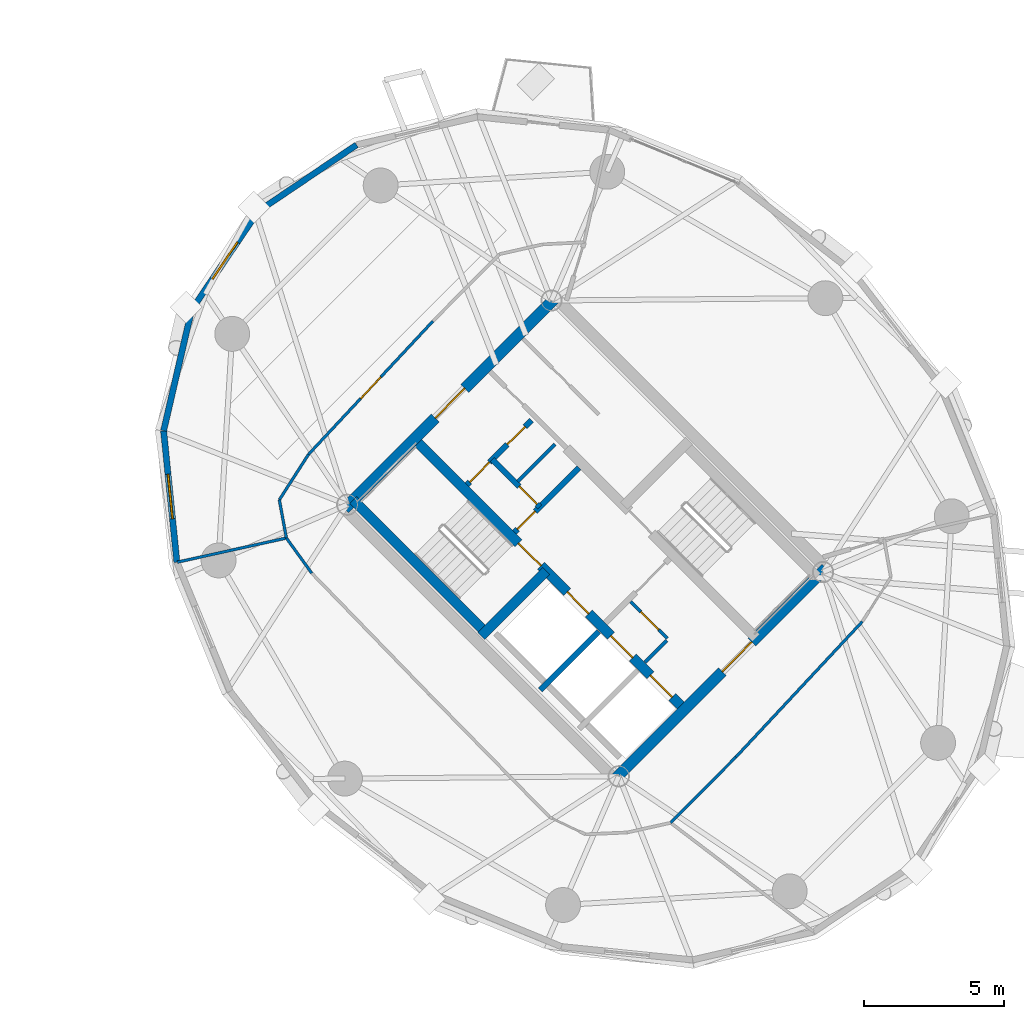
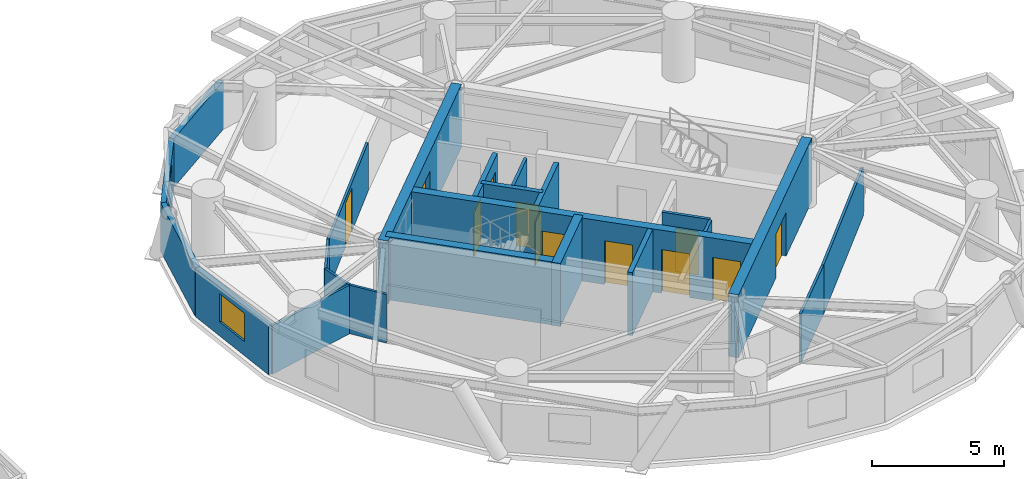
# One storey, part 12 of 17: 23 walls, 12 doors, 2 windows, 14 openings.
"""IFC4 building model written with IfcOpenShell, lengths in metres."""

from ifc_helpers import new_model, si_unit, direction, frame, frame_2d, origin, place, context, subcontext, project, spatial, rectangle, extrude, source, transform, mapped, material, layer, layer_set, type_object, element, fill, save


model = new_model("IFC4")

# Units and contexts
model_context = context("Model", 3, precision=1e-05, world=origin(), true_north=direction((0.0, 1.0)))
body_context = subcontext(model_context, "Body", "Model", "MODEL_VIEW")
ifc_project = project(units=[si_unit("LENGTHUNIT", "METRE"), si_unit("AREAUNIT", "SQUARE_METRE"), si_unit("VOLUMEUNIT", "CUBIC_METRE"), si_unit("PLANEANGLEUNIT", "RADIAN"), si_unit("MASSUNIT", "GRAM", prefix="KILO")], contexts=[model_context])

# Site, building, storey
site_placement = place(None, origin())
site = spatial("IfcSite", under=ifc_project, at=site_placement, CompositionType="ELEMENT")
building_placement = place(site_placement, origin())
building = spatial("IfcBuilding", under=site, at=building_placement, Name="Cununo Teusaquillo Station Towers", CompositionType="ELEMENT")
storey_placement = place(building_placement, frame((0.0, 0.0, 186.52001953125)))
storey = spatial("IfcBuildingStorey", under=building, at=storey_placement, Name="L59", CompositionType="ELEMENT", Elevation=186.52001953125)

# Wall
ifc_material_1 = material(Name="Concrete C50/60", Category="concrete")
ifc_layer_1 = layer(ifc_material_1, 0.199951171875)
ifc_layer_set_1 = layer_set([ifc_layer_1], Name="Concrete C50/60")
wall_type_1 = type_object("IfcWallType", Name="WL-CORE-200", PredefinedType="SHEAR", material=ifc_layer_set_1)
wall_1_placement = place(storey_placement, frame((55.8876953125, 19.0693359375, 0.0), z_axis=(0.0, 0.0, 1.0), x_axis=(0.707106781187, 0.707106781187, 0.0)))
element("IfcWall", 1, at=wall_1_placement, inside=storey, type_object=wall_type_1, Name="L59 Tower B Firefighting Lift Shaft South Shear Wall", PredefinedType="SHEAR", context=body_context, shape_type="SweptSolid", body=[
    extrude(rectangle(XDim=2.969970703125, YDim=0.199951171875, at=frame_2d((1.48486328125, 0.0))), origin(), (0.0, 0.0, 1.0), 2.909912109375),
])

# Wall, openings, doors
ifc_material_2 = material(Name="Concrete C50/60", Category="concrete")
ifc_layer_2 = layer(ifc_material_2, 0.35009765625)
ifc_layer_set_2 = layer_set([ifc_layer_2], Name="Concrete C50/60")
wall_type_2 = type_object("IfcWallType", Name="WL-CORE-350", PredefinedType="SHEAR", material=ifc_layer_set_2)
wall_2_placement = place(storey_placement, frame((61.060302734375, 18.372802734375, 0.0), z_axis=(0.0, 0.0, 1.0), x_axis=(-0.707106781187, 0.707106781187, 0.0)))
wall_2 = element("IfcWall", 2, at=wall_2_placement, inside=storey, type_object=wall_type_2, Name="L59 Tower B Core Shear Wall IW", PredefinedType="SHEAR", context=body_context, shape_type="SweptSolid", body=[
    extrude(rectangle(XDim=13.7001953125, YDim=0.35009765625, at=frame_2d((6.85009765625, 0.0))), origin(), (0.0, 0.0, 1.0), 2.909912109375),
])
shared_shape_1 = source(origin(), body_context, "Body", "SweptSolid", [
    extrude(rectangle(XDim=1.10009765625, YDim=2.014892578125, at=frame_2d((0.550048828125, 1.00732421875))), frame((0.0, 0.18505859375, 0.0), z_axis=(0.0, -1.0, 0.0), x_axis=(1.0, 0.0, 0.0)), (0.0, 0.0, 1.0), 0.3701171875),
])
opening_1_placement = place(wall_2_placement, frame((4.85009765625, 0.0, 0.0)))
opening_1 = element("IfcOpeningElement", 3, at=opening_1_placement, cuts=wall_2, Name="Opening LD-01", PredefinedType="OPENING", context=body_context, shape_type="MappedRepresentation", body=[
    mapped(shared_shape_1, transform((0.0, 0.0, 0.0), x_axis=(1.0, 0.0, 0.0), y_axis=(0.0, 1.0, 0.0), z_axis=(0.0, 0.0, 1.0), scale=1.0)),
])
opening_2_placement = place(wall_2_placement, frame((0.625, 0.0, 0.0)))
opening_2 = element("IfcOpeningElement", 4, at=opening_2_placement, cuts=wall_2, Name="Opening LD-01", PredefinedType="OPENING", context=body_context, shape_type="MappedRepresentation", body=[
    mapped(shared_shape_1, transform((0.0, 0.0, 0.0), x_axis=(1.0, 0.0, 0.0), y_axis=(0.0, 1.0, 0.0), z_axis=(0.0, 0.0, 1.0), scale=1.0)),
])
opening_3_placement = place(wall_2_placement, frame((2.625, 0.0, 0.0)))
opening_3 = element("IfcOpeningElement", 5, at=opening_3_placement, cuts=wall_2, Name="Opening LD-01", PredefinedType="OPENING", context=body_context, shape_type="MappedRepresentation", body=[
    mapped(shared_shape_1, transform((0.0, 0.0, 0.0), x_axis=(1.0, 0.0, 0.0), y_axis=(0.0, 1.0, 0.0), z_axis=(0.0, 0.0, 1.0), scale=1.0)),
])
shared_shape_2 = source(origin(), body_context, "Body", "SweptSolid", [
    extrude(rectangle(XDim=1.14990234375, YDim=2.02001953125, at=frame_2d((0.574951171875, 1.010009765625))), frame((0.0, 0.18505859375, 0.0), z_axis=(0.0, -1.0, 0.0), x_axis=(1.0, 0.0, 0.0)), (0.0, 0.0, 1.0), 0.3701171875),
])
opening_4_placement = place(wall_2_placement, frame((7.27001953125, 0.0, 0.0)))
opening_4 = element("IfcOpeningElement", 6, at=opening_4_placement, cuts=wall_2, Name="Opening D-ST1", PredefinedType="OPENING", context=body_context, shape_type="MappedRepresentation", body=[
    mapped(shared_shape_2, transform((0.0, 0.0, 0.0), x_axis=(1.0, 0.0, 0.0), y_axis=(0.0, 1.0, 0.0), z_axis=(0.0, 0.0, 1.0), scale=1.0)),
])
ifc_material_3 = material(Name="Galvanised fire-rated hollow steel door assembly", Category="steel")
door_type_1 = type_object("IfcDoorType", Name="DR-LIFT-1100", OperationType="SLIDING_TO_LEFT", PredefinedType="DOOR", material=ifc_material_3)
shared_shape_3 = source(origin(), body_context, "Body", "SweptSolid", [
    extrude(rectangle(XDim=1.10009765625, YDim=2.014892578125, at=frame_2d((0.550048828125, 1.00732421875))), frame((0.0, 0.02490234375, 0.0), z_axis=(0.0, -1.0, 0.0), x_axis=(1.0, 0.0, 0.0)), (0.0, 0.0, 1.0), 0.050048828125),
])
door_1_placement = place(opening_1_placement, origin())
door_1 = element("IfcDoor", 7, at=door_1_placement, inside=storey, type_object=door_type_1, Name="L59 Lift FL-T2 Sliding Landing Door", OperationType="SLIDING_TO_LEFT", OverallHeight=2.014892578125, OverallWidth=1.10009765625, PredefinedType="DOOR", context=body_context, shape_type="MappedRepresentation", body=[
    mapped(shared_shape_3, transform((0.0, 0.0, 0.0), x_axis=(1.0, 0.0, 0.0), y_axis=(0.0, 1.0, 0.0), z_axis=(0.0, 0.0, 1.0), scale=1.0)),
])
fill(opening_1, door_1)
door_2_placement = place(opening_2_placement, origin())
door_2 = element("IfcDoor", 8, at=door_2_placement, inside=storey, type_object=door_type_1, Name="L59 Lift PL-T2-H1 Sliding Landing Door", OperationType="SLIDING_TO_RIGHT", OverallHeight=2.014892578125, OverallWidth=1.10009765625, PredefinedType="DOOR", context=body_context, shape_type="MappedRepresentation", body=[
    mapped(shared_shape_3, transform((0.0, 0.0, 0.0), x_axis=(1.0, 0.0, 0.0), y_axis=(0.0, 1.0, 0.0), z_axis=(0.0, 0.0, 1.0), scale=1.0)),
])
fill(opening_2, door_2)
door_3_placement = place(opening_3_placement, origin())
door_3 = element("IfcDoor", 9, at=door_3_placement, inside=storey, type_object=door_type_1, Name="L59 Lift PL-T2-H2 Sliding Landing Door", OperationType="SLIDING_TO_LEFT", OverallHeight=2.014892578125, OverallWidth=1.10009765625, PredefinedType="DOOR", context=body_context, shape_type="MappedRepresentation", body=[
    mapped(shared_shape_3, transform((0.0, 0.0, 0.0), x_axis=(1.0, 0.0, 0.0), y_axis=(0.0, 1.0, 0.0), z_axis=(0.0, 0.0, 1.0), scale=1.0)),
])
fill(opening_3, door_3)
ifc_material_4 = material(Name="Galvanised fire-rated hollow steel door assembly", Category="steel")
door_type_2 = type_object("IfcDoorType", Name="DR-STAIR-1150", OperationType="NOTDEFINED", PredefinedType="DOOR", material=ifc_material_4)
shared_shape_4 = source(origin(), body_context, "Body", "SweptSolid", [
    extrude(rectangle(XDim=1.14990234375, YDim=2.02001953125, at=frame_2d((0.574951171875, 1.010009765625))), frame((0.0, 0.02490234375, 0.0), z_axis=(0.0, -1.0, 0.0), x_axis=(1.0, 0.0, 0.0)), (0.0, 0.0, 1.0), 0.050048828125),
])
door_4_placement = place(opening_4_placement, origin())
door_4 = element("IfcDoor", 10, at=door_4_placement, inside=storey, type_object=door_type_2, Name="L59 Tower B Exit Stair 1 Fire Door", OperationType="SINGLE_SWING_RIGHT", OverallHeight=2.02001953125, OverallWidth=1.14990234375, PredefinedType="DOOR", context=body_context, shape_type="MappedRepresentation", body=[
    mapped(shared_shape_4, transform((0.0, 0.0, 0.0), x_axis=(1.0, 0.0, 0.0), y_axis=(0.0, 1.0, 0.0), z_axis=(0.0, 0.0, 1.0), scale=1.0)),
])
fill(opening_4, door_4)

# Walls
wall_3_placement = place(storey_placement, frame((53.922119140625, 21.14111328125, 0.0), z_axis=(0.0, 0.0, 1.0), x_axis=(-0.707106781187, 0.707106781187, 0.0)))
element("IfcWall", 11, at=wall_3_placement, inside=storey, type_object=wall_type_2, Name="L59 Tower B Core Shear Wall ST1W", PredefinedType="SHEAR", context=body_context, shape_type="SweptSolid", body=[
    extrude(rectangle(XDim=6.695068359375, YDim=0.35009765625, at=frame_2d((3.34765625, 0.0))), origin(), (0.0, 0.0, 1.0), 2.909912109375),
])
wall_4_placement = place(storey_placement, frame((53.7841796875, 21.00341796875, 0.0), z_axis=(0.0, 0.0, 1.0), x_axis=(0.707106781187, 0.707106781187, 0.0)))
element("IfcWall", 12, at=wall_4_placement, inside=storey, type_object=wall_type_2, Name="L59 Tower B Core Shear Wall ST1S", PredefinedType="SHEAR", context=body_context, shape_type="SweptSolid", body=[
    extrude(rectangle(XDim=3.284912109375, YDim=0.35009765625, at=frame_2d((1.642578125, 0.0))), origin(), (0.0, 0.0, 1.0), 2.909912109375),
])

# Wall, opening, door
ifc_material_5 = material(Name="Concrete C50/60", Category="concrete")
ifc_layer_3 = layer(ifc_material_5, 0.39990234375)
ifc_layer_set_3 = layer_set([ifc_layer_3], Name="Concrete C50/60")
wall_type_3 = type_object("IfcWallType", Name="WL-CORE-400", PredefinedType="SHEAR", material=ifc_layer_set_3)
wall_5_placement = place(storey_placement, frame((58.560791015625, 15.873291015625, 0.0), z_axis=(0.0, 0.0, 1.0), x_axis=(0.707106781187, 0.707106781187, 0.0)))
wall_5 = element("IfcWall", 13, at=wall_5_placement, inside=storey, type_object=wall_type_3, Name="L59 Tower B Core Shear Wall S", PredefinedType="SHEAR", context=body_context, shape_type="SweptSolid", body=[
    extrude(rectangle(XDim=10.69970703125, YDim=0.39990234375, at=frame_2d((5.349853515625, 0.0))), origin(), (0.0, 0.0, 1.0), 2.909912109375),
])
shared_shape_5 = source(origin(), body_context, "Body", "SweptSolid", [
    extrude(rectangle(XDim=1.5, YDim=2.02001953125, at=frame_2d((0.75, 1.010009765625))), frame((0.0, 0.2099609375, 0.0), z_axis=(0.0, -1.0, 0.0), x_axis=(1.0, 0.0, 0.0)), (0.0, 0.0, 1.0), 0.419921875),
])
opening_5_placement = place(wall_5_placement, frame((5.449951171875, 0.0, 0.0)))
opening_5 = element("IfcOpeningElement", 14, at=opening_5_placement, cuts=wall_5, Name="Opening D-LB1", PredefinedType="OPENING", context=body_context, shape_type="MappedRepresentation", body=[
    mapped(shared_shape_5, transform((0.0, 0.0, 0.0), x_axis=(1.0, 0.0, 0.0), y_axis=(0.0, 1.0, 0.0), z_axis=(0.0, 0.0, 1.0), scale=1.0)),
])
ifc_material_6 = material(Name="Galvanised fire-rated hollow steel door assembly", Category="steel")
door_type_3 = type_object("IfcDoorType", Name="DR-LOBBY-1500", OperationType="DOUBLE_DOOR_SINGLE_SWING", PredefinedType="DOOR", material=ifc_material_6)
shared_shape_6 = source(origin(), body_context, "Body", "SweptSolid", [
    extrude(rectangle(XDim=1.5, YDim=2.02001953125, at=frame_2d((0.75, 1.010009765625))), frame((0.0, 0.02490234375, 0.0), z_axis=(0.0, -1.0, 0.0), x_axis=(1.0, 0.0, 0.0)), (0.0, 0.0, 1.0), 0.050048828125),
])
door_5_placement = place(opening_5_placement, origin())
door_5 = element("IfcDoor", 15, at=door_5_placement, inside=storey, type_object=door_type_3, Name="L59 Tower B South Core Lift Lobby Door", OperationType="DOUBLE_DOOR_SINGLE_SWING", OverallHeight=2.02001953125, OverallWidth=1.5, PredefinedType="DOOR", context=body_context, shape_type="MappedRepresentation", body=[
    mapped(shared_shape_6, transform((0.0, 0.0, 0.0), x_axis=(1.0, 0.0, 0.0), y_axis=(0.0, 1.0, 0.0), z_axis=(0.0, 0.0, 1.0), scale=1.0)),
])
fill(opening_5, door_5)

wall_6_placement = place(storey_placement, frame((48.873291015625, 25.560791015625, 0.0), z_axis=(0.0, 0.0, 1.0), x_axis=(0.707106781187, 0.707106781187, 0.0)))
wall_6 = element("IfcWall", 16, at=wall_6_placement, inside=storey, type_object=wall_type_3, Name="L59 Tower B Core Shear Wall N", PredefinedType="SHEAR", context=body_context, shape_type="SweptSolid", body=[
    extrude(rectangle(XDim=10.69970703125, YDim=0.39990234375, at=frame_2d((5.349853515625, 0.0))), origin(), (0.0, 0.0, 1.0), 2.909912109375),
])
opening_6_placement = place(wall_6_placement, frame((4.60009765625, 0.0, 0.0)))
opening_6 = element("IfcOpeningElement", 17, at=opening_6_placement, cuts=wall_6, Name="Opening D-LB1", PredefinedType="OPENING", context=body_context, shape_type="MappedRepresentation", body=[
    mapped(shared_shape_5, transform((0.0, 0.0, 0.0), x_axis=(1.0, 0.0, 0.0), y_axis=(0.0, 1.0, 0.0), z_axis=(0.0, 0.0, 1.0), scale=1.0)),
])
door_6_placement = place(opening_6_placement, origin())
door_6 = element("IfcDoor", 18, at=door_6_placement, inside=storey, type_object=door_type_3, Name="L59 Tower B North Core Lift Lobby Door", OperationType="DOUBLE_DOOR_SINGLE_SWING", OverallHeight=2.02001953125, OverallWidth=1.5, PredefinedType="DOOR", context=body_context, shape_type="MappedRepresentation", body=[
    mapped(shared_shape_6, transform((0.0, 0.0, 0.0), x_axis=(1.0, 0.0, 0.0), y_axis=(0.0, 1.0, 0.0), z_axis=(0.0, 0.0, 1.0), scale=1.0)),
])
fill(opening_6, door_6)

# Wall
ifc_material_7 = material(Name="Precast concrete C40/50", Category="concrete")
ifc_layer_4 = layer(ifc_material_7, 0.219970703125)
ifc_layer_set_4 = layer_set([ifc_layer_4], Name="Precast concrete C40/50")
wall_type_4 = type_object("IfcWallType", Name="WL-EXT-220", PredefinedType="SOLIDWALL", material=ifc_layer_set_4)
wall_7_placement = place(storey_placement, frame((45.783203125, 36.216796875, 0.0), z_axis=(0.0, 0.0, 1.0), x_axis=(0.828817439852, 0.55951912514, 0.0)))
element("IfcWall", 19, at=wall_7_placement, inside=storey, type_object=wall_type_4, Name="L59 Tower B Exterior Facade Wall C04", PredefinedType="SOLIDWALL", context=body_context, shape_type="SweptSolid", body=[
    extrude(rectangle(XDim=4.259033203125, YDim=0.219970703125, at=frame_2d((2.12939453125, 0.0))), origin(), (0.0, 0.0, 1.0), 2.244873046875),
])

# Wall, opening, window
wall_8_placement = place(storey_placement, frame((43.400146484375, 32.686767578125, 0.0), z_axis=(0.0, 0.0, 1.0), x_axis=(0.55951912514, 0.828817439852, 0.0)))
wall_8 = element("IfcWall", 20, at=wall_8_placement, inside=storey, type_object=wall_type_4, Name="L59 Tower B Exterior Facade Wall C05", PredefinedType="SOLIDWALL", context=body_context, shape_type="SweptSolid", body=[
    extrude(rectangle(XDim=4.259033203125, YDim=0.219970703125, at=frame_2d((2.12939453125, 0.0))), origin(), (0.0, 0.0, 1.0), 2.244873046875),
])
shared_shape_7 = source(origin(), body_context, "Body", "SweptSolid", [
    extrude(rectangle(XDim=1.60009765625, YDim=1.300048828125, at=frame_2d((0.800048828125, 0.64990234375))), frame((0.0, 0.119873046875, 0.0), z_axis=(0.0, -1.0, 0.0), x_axis=(1.0, 0.0, 0.0)), (0.0, 0.0, 1.0), 0.239990234375),
])
opening_7_placement = place(wall_8_placement, frame((1.330078125, 0.0, 0.64990234375)))
opening_7 = element("IfcOpeningElement", 21, at=opening_7_placement, cuts=wall_8, Name="Opening WN-03", PredefinedType="OPENING", context=body_context, shape_type="MappedRepresentation", body=[
    mapped(shared_shape_7, transform((0.0, 0.0, 0.0), x_axis=(1.0, 0.0, 0.0), y_axis=(0.0, 1.0, 0.0), z_axis=(0.0, 0.0, 1.0), scale=1.0)),
])
ifc_material_8 = material(Name="Ceramic-fritted dark low-E double glazing", Category="glass")
window_type = type_object("IfcWindowType", Name="WIN-CORN-1600", PartitioningType="SINGLE_PANEL", PredefinedType="WINDOW", material=ifc_material_8)
shared_shape_8 = source(origin(), body_context, "Body", "SweptSolid", [
    extrude(rectangle(XDim=1.60009765625, YDim=1.300048828125, at=frame_2d((0.800048828125, 0.64990234375))), frame((0.0, 0.030029296875, 0.0), z_axis=(0.0, -1.0, 0.0), x_axis=(1.0, 0.0, 0.0)), (0.0, 0.0, 1.0), 0.06005859375),
])
window_1_placement = place(opening_7_placement, origin())
window_1 = element("IfcWindow", 22, at=window_1_placement, inside=storey, type_object=window_type, Name="L59 Tower B Facade Window C05", OverallHeight=1.300048828125, OverallWidth=1.60009765625, PartitioningType="SINGLE_PANEL", PredefinedType="WINDOW", context=body_context, shape_type="MappedRepresentation", body=[
    mapped(shared_shape_8, transform((0.0, 0.0, 0.0), x_axis=(1.0, 0.0, 0.0), y_axis=(0.0, 1.0, 0.0), z_axis=(0.0, 0.0, 1.0), scale=1.0)),
])
fill(opening_7, window_1)

# Wall
wall_9_placement = place(storey_placement, frame((42.397216796875, 28.355224609375, 0.0), z_axis=(0.0, 0.0, 1.0), x_axis=(0.22557328587, 0.97422620202, 0.0)))
element("IfcWall", 23, at=wall_9_placement, inside=storey, type_object=wall_type_4, Name="L59 Tower B Exterior Facade Wall C06", PredefinedType="SOLIDWALL", context=body_context, shape_type="SweptSolid", body=[
    extrude(rectangle(XDim=4.446044921875, YDim=0.219970703125, at=frame_2d((2.22314453125, 0.0))), origin(), (0.0, 0.0, 1.0), 2.244873046875),
])

# Wall, opening, window
wall_10_placement = place(storey_placement, frame((42.87255859375, 23.646484375, 0.0), z_axis=(0.0, 0.0, 1.0), x_axis=(-0.100438356004, 0.994943283129, 0.0)))
wall_10 = element("IfcWall", 24, at=wall_10_placement, inside=storey, type_object=wall_type_4, Name="L59 Tower B Exterior Facade Wall C07", PredefinedType="SOLIDWALL", context=body_context, shape_type="SweptSolid", body=[
    extrude(rectangle(XDim=4.732666015625, YDim=0.219970703125, at=frame_2d((2.3662109375, 0.0))), origin(), (0.0, 0.0, 1.0), 2.244873046875),
])
opening_8_placement = place(wall_10_placement, frame((1.56591796875, 0.0, 0.64990234375)))
opening_8 = element("IfcOpeningElement", 25, at=opening_8_placement, cuts=wall_10, Name="Opening WN-03", PredefinedType="OPENING", context=body_context, shape_type="MappedRepresentation", body=[
    mapped(shared_shape_7, transform((0.0, 0.0, 0.0), x_axis=(1.0, 0.0, 0.0), y_axis=(0.0, 1.0, 0.0), z_axis=(0.0, 0.0, 1.0), scale=1.0)),
])
window_2_placement = place(opening_8_placement, origin())
window_2 = element("IfcWindow", 26, at=window_2_placement, inside=storey, type_object=window_type, Name="L59 Tower B Facade Window C07", OverallHeight=1.300048828125, OverallWidth=1.60009765625, PartitioningType="SINGLE_PANEL", PredefinedType="WINDOW", context=body_context, shape_type="MappedRepresentation", body=[
    mapped(shared_shape_8, transform((0.0, 0.0, 0.0), x_axis=(1.0, 0.0, 0.0), y_axis=(0.0, 1.0, 0.0), z_axis=(0.0, 0.0, 1.0), scale=1.0)),
])
fill(opening_8, window_2)

# Wall, opening, door
ifc_material_9 = material(Name="Fire-rated gypsum plasterboard partition assembly", Category="gypsum")
ifc_layer_5 = layer(ifc_material_9, 0.10009765625)
ifc_layer_set_5 = layer_set([ifc_layer_5], Name="Fire-rated gypsum plasterboard partition assembly")
wall_type_5 = type_object("IfcWallType", Name="WL-PART-100", PredefinedType="MOVABLE", material=ifc_layer_set_5)
wall_11_placement = place(storey_placement, frame((52.04345703125, 32.27978515625, 0.0), z_axis=(0.0, 0.0, 1.0), x_axis=(-0.682606081633, -0.730786519661, 0.0)))
wall_11 = element("IfcWall", 27, at=wall_11_placement, inside=storey, type_object=wall_type_5, Name="L59 Tower B Corridor Ring Wall C05", PredefinedType="MOVABLE", context=body_context, shape_type="SweptSolid", body=[
    extrude(rectangle(XDim=6.526611328125, YDim=0.10009765625, at=frame_2d((3.26318359375, 0.0))), origin(), (0.0, 0.0, 1.0), 2.244873046875),
])
shared_shape_9 = source(origin(), body_context, "Body", "SweptSolid", [
    extrude(rectangle(XDim=1.050048828125, YDim=2.014892578125, at=frame_2d((0.52490234375, 1.00732421875))), frame((0.0, 0.06005859375, 0.0), z_axis=(0.0, -1.0, 0.0), x_axis=(1.0, 0.0, 0.0)), (0.0, 0.0, 1.0), 0.1201171875),
])
opening_9_placement = place(wall_11_placement, frame((2.73828125, 0.0, 0.0)))
opening_9 = element("IfcOpeningElement", 28, at=opening_9_placement, cuts=wall_11, Name="Opening D-SU1", PredefinedType="OPENING", context=body_context, shape_type="MappedRepresentation", body=[
    mapped(shared_shape_9, transform((0.0, 0.0, 0.0), x_axis=(1.0, 0.0, 0.0), y_axis=(0.0, 1.0, 0.0), z_axis=(0.0, 0.0, 1.0), scale=1.0)),
])
ifc_material_10 = material(Name="Acoustic solid-core hardwood leaf assembly", Category="wood")
door_type_4 = type_object("IfcDoorType", Name="DR-SUITE-1050", OperationType="NOTDEFINED", PredefinedType="DOOR", material=ifc_material_10)
shared_shape_10 = source(origin(), body_context, "Body", "SweptSolid", [
    extrude(rectangle(XDim=1.050048828125, YDim=2.014892578125, at=frame_2d((0.52490234375, 1.00732421875))), frame((0.0, 0.02490234375, 0.0), z_axis=(0.0, -1.0, 0.0), x_axis=(1.0, 0.0, 0.0)), (0.0, 0.0, 1.0), 0.050048828125),
])
door_7_placement = place(opening_9_placement, origin())
door_7 = element("IfcDoor", 29, at=door_7_placement, inside=storey, type_object=door_type_4, Name="L59 Tower B Summit Banquet & Symposium Hall Entrance Door", OperationType="SINGLE_SWING_LEFT", OverallHeight=2.014892578125, OverallWidth=1.050048828125, PredefinedType="DOOR", context=body_context, shape_type="MappedRepresentation", body=[
    mapped(shared_shape_10, transform((0.0, 0.0, 0.0), x_axis=(1.0, 0.0, 0.0), y_axis=(0.0, 1.0, 0.0), z_axis=(0.0, 0.0, 1.0), scale=1.0)),
])
fill(opening_9, door_7)

# Walls
wall_12_placement = place(storey_placement, frame((47.58837890625, 27.51025390625, 0.0), z_axis=(0.0, 0.0, 1.0), x_axis=(-0.540202619347, -0.841534984449, 0.0)))
element("IfcWall", 30, at=wall_12_placement, inside=storey, type_object=wall_type_5, Name="L59 Tower B Corridor Ring Wall C06", PredefinedType="MOVABLE", context=body_context, shape_type="SweptSolid", body=[
    extrude(rectangle(XDim=1.934814453125, YDim=0.10009765625, at=frame_2d((0.96728515625, 0.0))), origin(), (0.0, 0.0, 1.0), 2.244873046875),
])
wall_13_placement = place(storey_placement, frame((46.543212890625, 25.882080078125, 0.0), z_axis=(0.0, 0.0, 1.0), x_axis=(0.181153502579, -0.983454832976, 0.0)))
element("IfcWall", 31, at=wall_13_placement, inside=storey, type_object=wall_type_5, Name="L59 Tower B Corridor Ring Wall C07", PredefinedType="MOVABLE", context=body_context, shape_type="SweptSolid", body=[
    extrude(rectangle(XDim=1.39208984375, YDim=0.10009765625, at=frame_2d((0.696044921875, 0.0))), origin(), (0.0, 0.0, 1.0), 2.244873046875),
])
wall_14_placement = place(storey_placement, frame((46.79541015625, 24.512939453125, 0.0), z_axis=(0.0, 0.0, 1.0), x_axis=(0.585628197524, -0.810579801294, 0.0)))
element("IfcWall", 32, at=wall_14_placement, inside=storey, type_object=wall_type_5, Name="L59 Tower B Corridor Ring Wall C08", PredefinedType="MOVABLE", context=body_context, shape_type="SweptSolid", body=[
    extrude(rectangle(XDim=1.55419921875, YDim=0.10009765625, at=frame_2d((0.777099609375, 0.0))), origin(), (0.0, 0.0, 1.0), 2.244873046875),
])
wall_15_placement = place(storey_placement, frame((60.5625, 14.3095703125, 0.0), z_axis=(0.0, 0.0, 1.0), x_axis=(0.704566236161, 0.709638230975, 0.0)))
element("IfcWall", 33, at=wall_15_placement, inside=storey, type_object=wall_type_5, Name="L59 Tower B Corridor Ring Wall C14", PredefinedType="MOVABLE", context=body_context, shape_type="SweptSolid", body=[
    extrude(rectangle(XDim=3.3212890625, YDim=0.10009765625, at=frame_2d((1.66064453125, 0.0))), origin(), (0.0, 0.0, 1.0), 2.244873046875),
])
wall_16_placement = place(storey_placement, frame((62.902587890625, 16.66650390625, 0.0), z_axis=(0.0, 0.0, 1.0), x_axis=(0.682371947497, 0.731005147225, 0.0)))
element("IfcWall", 34, at=wall_16_placement, inside=storey, type_object=wall_type_5, Name="L59 Tower B Corridor Ring Wall C15", PredefinedType="MOVABLE", context=body_context, shape_type="SweptSolid", body=[
    extrude(rectangle(XDim=6.6416015625, YDim=0.10009765625, at=frame_2d((3.32080078125, 0.0))), origin(), (0.0, 0.0, 1.0), 2.244873046875),
])
wall_17_placement = place(storey_placement, frame((46.79541015625, 24.512939453125, 0.0), z_axis=(0.0, 0.0, 1.0), x_axis=(-0.97638925617, -0.216018565026, 0.0)))
element("IfcWall", 35, at=wall_17_placement, inside=storey, type_object=wall_type_5, Name="L59 Tower B Radial Suite Partition R02", PredefinedType="MOVABLE", context=body_context, shape_type="SweptSolid", body=[
    extrude(rectangle(XDim=3.99755859375, YDim=0.10009765625, at=frame_2d((1.998779296875, 0.0))), origin(), (0.0, 0.0, 1.0), 2.244873046875),
])

# Wall, opening, door
ifc_material_11 = material(Name="Fire-rated gypsum plasterboard partition assembly", Category="gypsum")
ifc_layer_6 = layer(ifc_material_11, 0.125)
ifc_layer_set_6 = layer_set([ifc_layer_6], Name="Fire-rated gypsum plasterboard partition assembly")
wall_type_6 = type_object("IfcWallType", Name="WL-PART-125", PredefinedType="PARTITIONING", material=ifc_layer_set_6)
wall_18_placement = place(storey_placement, frame((60.448486328125, 20.9150390625, 0.0), z_axis=(0.0, 0.0, 1.0), x_axis=(-0.707106781187, 0.707106781187, 0.0)))
wall_18 = element("IfcWall", 36, at=wall_18_placement, inside=storey, type_object=wall_type_6, Name="L59 Tower B North-West Lobby Store East Wall", PredefinedType="PARTITIONING", context=body_context, shape_type="SweptSolid", body=[
    extrude(rectangle(XDim=1.869873046875, YDim=0.125, at=frame_2d((0.93505859375, 0.0))), origin(), (0.0, 0.0, 1.0), 2.675048828125),
])
shared_shape_11 = source(origin(), body_context, "Body", "SweptSolid", [
    extrude(rectangle(XDim=0.89990234375, YDim=2.0048828125, at=frame_2d((0.449951171875, 1.00244140625))), frame((0.0, 0.072509765625, 0.0), z_axis=(0.0, -1.0, 0.0), x_axis=(1.0, 0.0, 0.0)), (0.0, 0.0, 1.0), 0.14501953125),
])
opening_10_placement = place(wall_18_placement, frame((0.449951171875, 0.0, 0.0)))
opening_10 = element("IfcOpeningElement", 37, at=opening_10_placement, cuts=wall_18, Name="Opening D-SR1", PredefinedType="OPENING", context=body_context, shape_type="MappedRepresentation", body=[
    mapped(shared_shape_11, transform((0.0, 0.0, 0.0), x_axis=(1.0, 0.0, 0.0), y_axis=(0.0, 1.0, 0.0), z_axis=(0.0, 0.0, 1.0), scale=1.0)),
])
ifc_material_12 = material(Name="Galvanised fire-rated hollow steel door assembly", Category="steel")
door_type_5 = type_object("IfcDoorType", Name="DR-STORE-900", OperationType="NOTDEFINED", PredefinedType="DOOR", material=ifc_material_12)
shared_shape_12 = source(origin(), body_context, "Body", "SweptSolid", [
    extrude(rectangle(XDim=0.89990234375, YDim=2.0048828125, at=frame_2d((0.449951171875, 1.00244140625))), frame((0.0, 0.02490234375, 0.0), z_axis=(0.0, -1.0, 0.0), x_axis=(1.0, 0.0, 0.0)), (0.0, 0.0, 1.0), 0.050048828125),
])
door_8_placement = place(opening_10_placement, origin())
door_8 = element("IfcDoor", 38, at=door_8_placement, inside=storey, type_object=door_type_5, Name="L59 Tower B South Lobby Data Store Door", OperationType="SINGLE_SWING_RIGHT", OverallHeight=2.0048828125, OverallWidth=0.89990234375, PredefinedType="DOOR", context=body_context, shape_type="MappedRepresentation", body=[
    mapped(shared_shape_12, transform((0.0, 0.0, 0.0), x_axis=(1.0, 0.0, 0.0), y_axis=(0.0, 1.0, 0.0), z_axis=(0.0, 0.0, 1.0), scale=1.0)),
])
fill(opening_10, door_8)

# Walls
wall_19_placement = place(storey_placement, frame((59.642578125, 20.06640625, 0.0), z_axis=(0.0, 0.0, 1.0), x_axis=(0.707106781187, 0.707106781187, 0.0)))
element("IfcWall", 39, at=wall_19_placement, inside=storey, type_object=wall_type_6, Name="L59 Tower B North-West Lobby Store South Wall", PredefinedType="PARTITIONING", context=body_context, shape_type="SweptSolid", body=[
    extrude(rectangle(XDim=1.10009765625, YDim=0.125, at=frame_2d((0.550048828125, 0.0))), origin(), (0.0, 0.0, 1.0), 2.675048828125),
])
wall_20_placement = place(storey_placement, frame((55.0888671875, 26.54345703125, 0.0), z_axis=(0.0, 0.0, 1.0), x_axis=(0.707106781187, 0.707106781187, 0.0)))
element("IfcWall", 40, at=wall_20_placement, inside=storey, type_object=wall_type_6, Name="L59 Tower B Core Horizontal Split Wall", PredefinedType="PARTITIONING", context=body_context, shape_type="SweptSolid", body=[
    extrude(rectangle(XDim=1.8798828125, YDim=0.125, at=frame_2d((0.93994140625, 0.0))), origin(), (0.0, 0.0, 1.0), 2.675048828125),
])

# Wall, opening, door
ifc_material_13 = material(Name="Fire-rated gypsum plasterboard partition assembly", Category="gypsum")
ifc_layer_7 = layer(ifc_material_13, 0.199951171875)
ifc_layer_set_7 = layer_set([ifc_layer_7], Name="Fire-rated gypsum plasterboard partition assembly")
wall_type_7 = type_object("IfcWallType", Name="WL-PART-200", PredefinedType="PARTITIONING", material=ifc_layer_set_7)
wall_21_placement = place(storey_placement, frame((54.96142578125, 24.71923828125, 0.0), z_axis=(0.0, 0.0, 1.0), x_axis=(0.707106781187, 0.707106781187, 0.0)))
wall_21 = element("IfcWall", 41, at=wall_21_placement, inside=storey, type_object=wall_type_7, Name="L59 Tower B Firefighting Lift Lobby North Fire Wall", PredefinedType="PARTITIONING", context=body_context, shape_type="SweptSolid", body=[
    extrude(rectangle(XDim=3.280029296875, YDim=0.199951171875, at=frame_2d((1.64013671875, 0.0))), origin(), (0.0, 0.0, 1.0), 2.675048828125),
])
shared_shape_13 = source(origin(), body_context, "Body", "SweptSolid", [
    extrude(rectangle(XDim=0.89990234375, YDim=2.0048828125, at=frame_2d((0.449951171875, 1.00244140625))), frame((0.0, 0.10986328125, 0.0), z_axis=(0.0, -1.0, 0.0), x_axis=(1.0, 0.0, 0.0)), (0.0, 0.0, 1.0), 0.219970703125),
])
opening_11_placement = place(wall_21_placement, frame((0.159912109375, 0.0, 0.0)))
opening_11 = element("IfcOpeningElement", 42, at=opening_11_placement, cuts=wall_21, Name="Opening D-SR1", PredefinedType="OPENING", context=body_context, shape_type="MappedRepresentation", body=[
    mapped(shared_shape_13, transform((0.0, 0.0, 0.0), x_axis=(1.0, 0.0, 0.0), y_axis=(0.0, 1.0, 0.0), z_axis=(0.0, 0.0, 1.0), scale=1.0)),
])
door_9_placement = place(opening_11_placement, origin())
door_9 = element("IfcDoor", 43, at=door_9_placement, inside=storey, type_object=door_type_5, Name="L59 Tower B Stair 1 Protected Vestibule South Door", OperationType="SINGLE_SWING_RIGHT", OverallHeight=2.0048828125, OverallWidth=0.89990234375, PredefinedType="DOOR", context=body_context, shape_type="MappedRepresentation", body=[
    mapped(shared_shape_12, transform((0.0, 0.0, 0.0), x_axis=(1.0, 0.0, 0.0), y_axis=(0.0, 1.0, 0.0), z_axis=(0.0, 0.0, 1.0), scale=1.0)),
])
fill(opening_11, door_9)

wall_22_placement = place(storey_placement, frame((55.873779296875, 25.63134765625, 0.0), z_axis=(0.0, 0.0, 1.0), x_axis=(-0.707157639372, 0.707055919343, 0.0)))
wall_22 = element("IfcWall", 44, at=wall_22_placement, inside=storey, type_object=wall_type_7, Name="L59 Tower B Stair 1 Vestibule Partition Wall", PredefinedType="PARTITIONING", context=body_context, shape_type="SweptSolid", body=[
    extrude(rectangle(XDim=2.400146484375, YDim=0.199951171875, at=frame_2d((1.2001953125, 0.0))), origin(), (0.0, 0.0, 1.0), 2.675048828125),
])
opening_12_placement = place(wall_22_placement, frame((0.139892578125, 0.0, 0.0)))
opening_12 = element("IfcOpeningElement", 45, at=opening_12_placement, cuts=wall_22, Name="Opening D-SR1", PredefinedType="OPENING", context=body_context, shape_type="MappedRepresentation", body=[
    mapped(shared_shape_13, transform((0.0, 0.0, 0.0), x_axis=(1.0, 0.0, 0.0), y_axis=(0.0, 1.0, 0.0), z_axis=(0.0, 0.0, 1.0), scale=1.0)),
])
door_10_placement = place(opening_12_placement, origin())
door_10 = element("IfcDoor", 46, at=door_10_placement, inside=storey, type_object=door_type_5, Name="L59 Tower B Core Linen Store Door", OperationType="SINGLE_SWING_LEFT", OverallHeight=2.0048828125, OverallWidth=0.89990234375, PredefinedType="DOOR", context=body_context, shape_type="MappedRepresentation", body=[
    mapped(shared_shape_12, transform((0.0, 0.0, 0.0), x_axis=(1.0, 0.0, 0.0), y_axis=(0.0, 1.0, 0.0), z_axis=(0.0, 0.0, 1.0), scale=1.0)),
])
fill(opening_12, door_10)

# Wall, openings, doors
wall_23_placement = place(storey_placement, frame((53.264404296875, 26.416259765625, 0.0), z_axis=(0.0, 0.0, 1.0), x_axis=(0.707106781187, 0.707106781187, 0.0)))
wall_23 = element("IfcWall", 47, at=wall_23_placement, inside=storey, type_object=wall_type_7, Name="L59 Tower B North Lift Lobby South Fire Wall", PredefinedType="PARTITIONING", context=body_context, shape_type="SweptSolid", body=[
    extrude(rectangle(XDim=3.280029296875, YDim=0.199951171875, at=frame_2d((1.64013671875, 0.0))), origin(), (0.0, 0.0, 1.0), 2.675048828125),
])
shared_shape_14 = source(origin(), body_context, "Body", "SweptSolid", [
    extrude(rectangle(XDim=1.0, YDim=2.014892578125, at=frame_2d((0.5, 1.00732421875))), frame((0.0, 0.10986328125, 0.0), z_axis=(0.0, -1.0, 0.0), x_axis=(1.0, 0.0, 0.0)), (0.0, 0.0, 1.0), 0.219970703125),
])
opening_13_placement = place(wall_23_placement, frame((0.139892578125, 0.0, 0.0)))
opening_13 = element("IfcOpeningElement", 48, at=opening_13_placement, cuts=wall_23, Name="Opening D-AC1", PredefinedType="OPENING", context=body_context, shape_type="MappedRepresentation", body=[
    mapped(shared_shape_14, transform((0.0, 0.0, 0.0), x_axis=(1.0, 0.0, 0.0), y_axis=(0.0, 1.0, 0.0), z_axis=(0.0, 0.0, 1.0), scale=1.0)),
])
opening_14_placement = place(wall_23_placement, frame((2.050048828125, 0.0, 0.0)))
opening_14 = element("IfcOpeningElement", 49, at=opening_14_placement, cuts=wall_23, Name="Opening D-SR1", PredefinedType="OPENING", context=body_context, shape_type="MappedRepresentation", body=[
    mapped(shared_shape_13, transform((0.0, 0.0, 0.0), x_axis=(1.0, 0.0, 0.0), y_axis=(0.0, 1.0, 0.0), z_axis=(0.0, 0.0, 1.0), scale=1.0)),
])
door_11_placement = place(opening_14_placement, origin())
door_11 = element("IfcDoor", 50, at=door_11_placement, inside=storey, type_object=door_type_5, Name="L59 Tower B Core Comms Room Door", OperationType="SINGLE_SWING_RIGHT", OverallHeight=2.0048828125, OverallWidth=0.89990234375, PredefinedType="DOOR", context=body_context, shape_type="MappedRepresentation", body=[
    mapped(shared_shape_12, transform((0.0, 0.0, 0.0), x_axis=(1.0, 0.0, 0.0), y_axis=(0.0, 1.0, 0.0), z_axis=(0.0, 0.0, 1.0), scale=1.0)),
])
fill(opening_14, door_11)
ifc_material_14 = material(Name="Acoustic solid-core hardwood leaf assembly", Category="wood")
door_type_6 = type_object("IfcDoorType", Name="DR-ACC-1000", OperationType="NOTDEFINED", PredefinedType="DOOR", material=ifc_material_14)
shared_shape_15 = source(origin(), body_context, "Body", "SweptSolid", [
    extrude(rectangle(XDim=1.0, YDim=2.014892578125, at=frame_2d((0.5, 1.00732421875))), frame((0.0, 0.02490234375, 0.0), z_axis=(0.0, -1.0, 0.0), x_axis=(1.0, 0.0, 0.0)), (0.0, 0.0, 1.0), 0.050048828125),
])
door_12_placement = place(opening_13_placement, origin())
door_12 = element("IfcDoor", 51, at=door_12_placement, inside=storey, type_object=door_type_6, Name="L59 Tower B North Lift Lobby to Stair 1 Vestibule Door", OperationType="SINGLE_SWING_LEFT", OverallHeight=2.014892578125, OverallWidth=1.0, PredefinedType="DOOR", context=body_context, shape_type="MappedRepresentation", body=[
    mapped(shared_shape_15, transform((0.0, 0.0, 0.0), x_axis=(1.0, 0.0, 0.0), y_axis=(0.0, 1.0, 0.0), z_axis=(0.0, 0.0, 1.0), scale=1.0)),
])
fill(opening_13, door_12)

save(model, "model.ifc")
